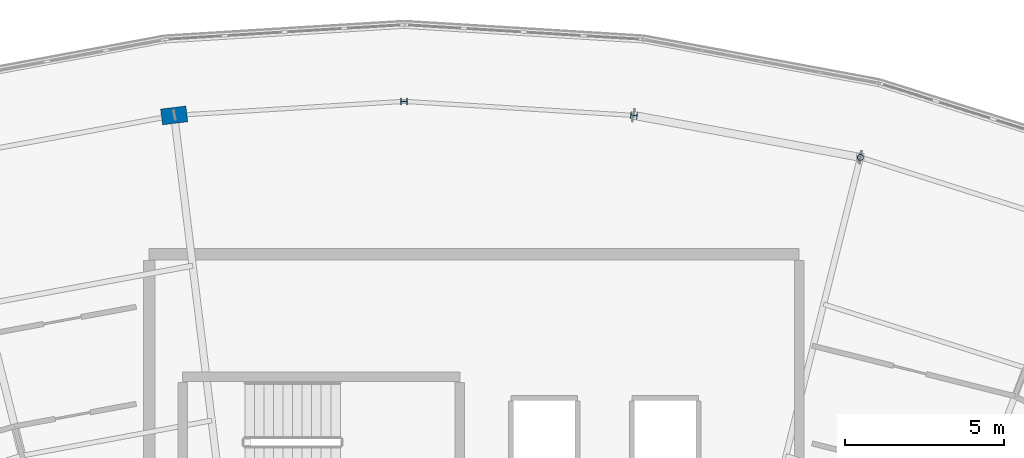
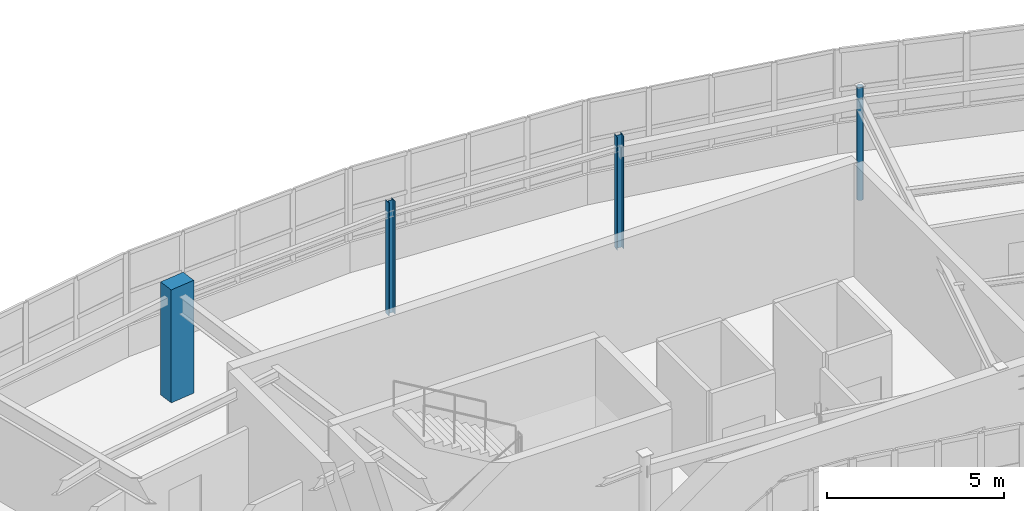
# One storey, part 12 of 60: 4 columns.
"""IFC4 building model written with IfcOpenShell, lengths in metres."""

from ifc_helpers import new_model, si_unit, direction, frame, origin, origin_2d, place, context, subcontext, project, spatial, rectangle, hollow_circle, i_section, extrude, material, material_profile, profile_set, type_object, element, save


model = new_model("IFC4")

# Units and contexts
model_context = context("Model", 3, precision=1e-05, world=origin(), true_north=direction((0.0, 1.0)))
body_context = subcontext(model_context, "Body", "Model", "MODEL_VIEW")
ifc_project = project(units=[si_unit("LENGTHUNIT", "METRE"), si_unit("AREAUNIT", "SQUARE_METRE"), si_unit("VOLUMEUNIT", "CUBIC_METRE"), si_unit("PLANEANGLEUNIT", "RADIAN"), si_unit("MASSUNIT", "GRAM", prefix="KILO")], contexts=[model_context])

# Site, building, storey
site_placement = place(None, origin())
site = spatial("IfcSite", under=ifc_project, at=site_placement, CompositionType="ELEMENT")
building_placement = place(site_placement, origin())
building = spatial("IfcBuilding", under=site, at=building_placement, Name="Tarnwether General Hospital", CompositionType="ELEMENT")
storey_placement = place(building_placement, frame((0.0, 0.0, 26.10009765625)))
storey = spatial("IfcBuildingStorey", under=building, at=storey_placement, Name="L06", CompositionType="ELEMENT", Elevation=26.10009765625)

# Columns
ifc_material_1 = material(Name="Concrete 50 MPa", Category="concrete")
ifc_material_profile_1 = material_profile(ifc_material_1, rectangle(XDim=0.5, YDim=0.800048828125, at=origin_2d()), Name="RC-PIL-500x800")
ifc_profile_set_1 = profile_set([ifc_material_profile_1], Name="Concrete 50 MPa")
column_type_1 = type_object("IfcColumnType", Name="COL-23", PredefinedType="PILASTER", material=ifc_profile_set_1)
column_1_placement = place(storey_placement, frame((84.784912109375, 121.759033203125, 0.0), z_axis=(0.0, 0.0, 1.0), x_axis=(-0.121869343405, 0.992546151641, 0.0)))
element("IfcColumn", 1, at=column_1_placement, inside=storey, type_object=column_type_1, Name="Column COLG-L06-8478_12176", PredefinedType="PILASTER", context=body_context, shape_type="SweptSolid", body=[
    extrude(rectangle(XDim=0.5, YDim=0.800048828125, at=origin_2d()), origin(), (0.0, 0.0, 1.0), 3.89990234375),
])
ifc_material_2 = material(Name="Steel Grade 350 (350 MPa)", Category="steel")
ifc_material_profile_2 = material_profile(ifc_material_2, i_section(OverallWidth=0.205078125, OverallDepth=0.2099609375, WebThickness=0.00927734375, FlangeThickness=0.01416015625, at=origin_2d()), Name="200UC59.5")
ifc_profile_set_2 = profile_set([ifc_material_profile_2], Name="Steel Grade 350 (350 MPa)")
column_type_2 = type_object("IfcColumnType", Name="COL-25", PredefinedType="COLUMN", material=ifc_profile_set_2)
column_2_placement = place(storey_placement, frame((92.0, 122.199951171875, 0.0), z_axis=(0.0, 0.0, 1.0), x_axis=(0.0, 1.0, 0.0)))
element("IfcColumn", 2, at=column_2_placement, inside=storey, type_object=column_type_2, Name="Column COLG-L06-9200_12220", PredefinedType="COLUMN", context=body_context, shape_type="SweptSolid", body=[
    extrude(i_section(OverallWidth=0.205078125, OverallDepth=0.2099609375, WebThickness=0.00927734375, FlangeThickness=0.01416015625, at=origin_2d()), origin(), (0.0, 0.0, 1.0), 3.89990234375),
])
ifc_material_3 = material(Name="Steel Grade 350 (350 MPa)", Category="steel")
ifc_material_profile_3 = material_profile(ifc_material_3, i_section(OverallWidth=0.202880859375, OverallDepth=0.202880859375, WebThickness=0.00732421875, FlangeThickness=0.010986328125, at=origin_2d()), Name="200UC46.2")
ifc_profile_set_3 = profile_set([ifc_material_profile_3], Name="Steel Grade 350 (350 MPa)")
column_type_3 = type_object("IfcColumnType", Name="COL-27", PredefinedType="COLUMN", material=ifc_profile_set_3)
column_3_placement = place(storey_placement, frame((99.215087890625, 121.759033203125, 0.0), z_axis=(0.0, 0.0, 1.0), x_axis=(0.121869343405, 0.992546151641, 0.0)))
element("IfcColumn", 3, at=column_3_placement, inside=storey, type_object=column_type_3, Name="Column COLG-L06-9922_12176", PredefinedType="COLUMN", context=body_context, shape_type="SweptSolid", body=[
    extrude(i_section(OverallWidth=0.202880859375, OverallDepth=0.202880859375, WebThickness=0.00732421875, FlangeThickness=0.010986328125, at=origin_2d()), origin(), (0.0, 0.0, 1.0), 3.89990234375),
])
ifc_material_4 = material(Name="Steel Grade C350L0 (350 MPa)", Category="steel")
ifc_material_profile_4 = material_profile(ifc_material_4, hollow_circle(Radius=0.096923828125, WallThickness=0.008056640625, at=origin_2d()), Name="CHS193.7x8.0")
ifc_profile_set_4 = profile_set([ifc_material_profile_4], Name="Steel Grade C350L0 (350 MPa)")
column_type_4 = type_object("IfcColumnType", Name="COL-29", PredefinedType="COLUMN", material=ifc_profile_set_4)
column_4_placement = place(storey_placement, frame((106.322021484375, 120.44189453125, 0.0), z_axis=(0.0, 0.0, 1.0), x_axis=(0.2419218956, 0.970295726276, 0.0)))
element("IfcColumn", 4, at=column_4_placement, inside=storey, type_object=column_type_4, Name="Column COLG-L06-10632_12044", PredefinedType="COLUMN", context=body_context, shape_type="SweptSolid", body=[
    extrude(hollow_circle(Radius=0.096923828125, WallThickness=0.008056640625, at=origin_2d()), origin(), (0.0, 0.0, 1.0), 3.89990234375),
])

save(model, "model.ifc")
